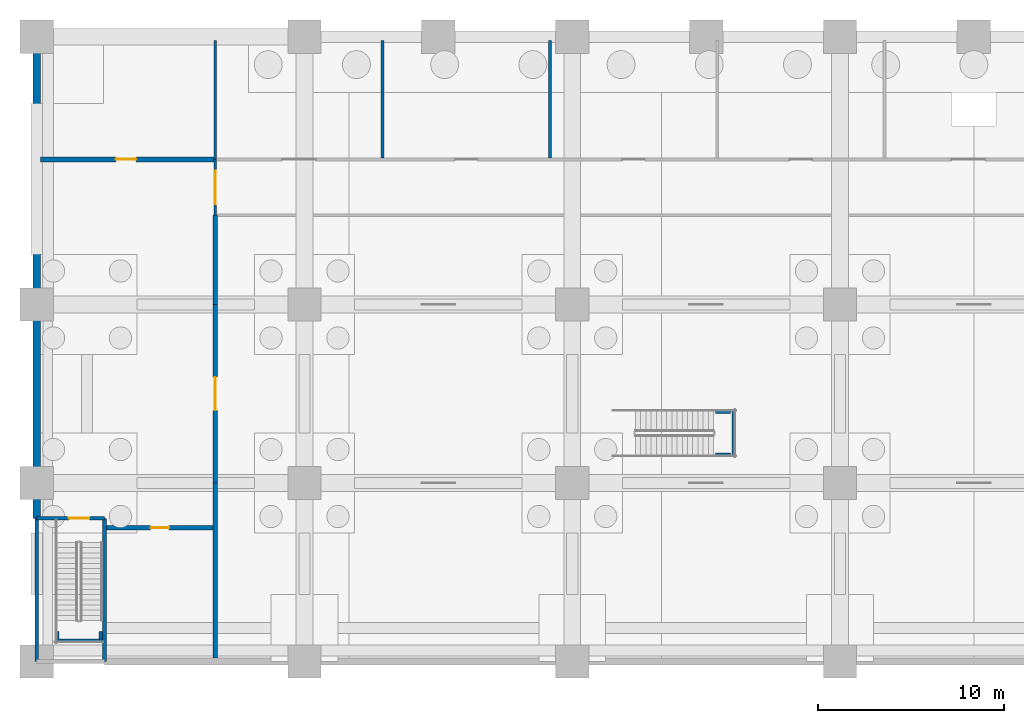
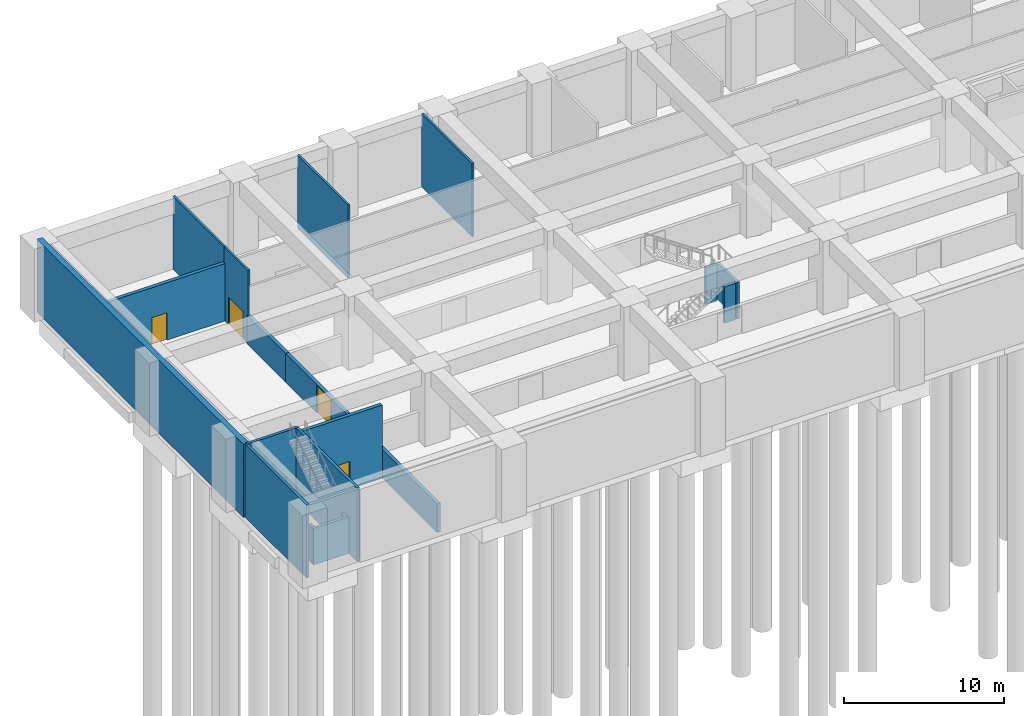
# One storey, part 3 of 13: 19 walls, 5 doors, 5 openings.
"""IFC4 building model written with IfcOpenShell, lengths in metres."""

import ifcopenshell
import ifcopenshell.guid

model = None  # the IFC model being written
_history = None  # IfcOwnerHistory: only IFC2X3 demands one
_inside = {}  # id of a spatial element -> (the spatial element, [elements in it])
_under = {}  # id of a project, library or spatial element -> (it, [spatial elements below it])
_declared = {}  # id of a project -> (the project, [libraries it declares])
_typed = {}  # id of a type object -> (the type object, [elements of that type])
_made_of = {}  # id of a material, layer set ... -> (it, [elements and type objects made of it])


def new_model(schema):
    """Start an empty IFC model of exactly this schema.

    Asked for "IFC4X3", IfcOpenShell would pick the latest addendum, in which some entities
    have other attributes; the version numbers below select the first issue.
    IFC2X3 requires an IfcOwnerHistory on every rooted entity: one is made here for all.
    """
    global model, _history
    if schema == "IFC4X3":
        model = ifcopenshell.file(schema_version=(4, 3, 0, 0))
    else:
        model = ifcopenshell.file(schema=schema)
    _inside.clear()
    _under.clear()
    _declared.clear()
    _typed.clear()
    _made_of.clear()
    _history = None
    if model.schema == "IFC2X3":
        org = make("IfcOrganization", Name="unknown")
        user = make(
            "IfcPersonAndOrganization",
            ThePerson=make("IfcPerson", FamilyName="unknown"),
            TheOrganization=org,
        )
        app = make(
            "IfcApplication",
            ApplicationDeveloper=org,
            Version="unknown",
            ApplicationFullName="unknown",
            ApplicationIdentifier="unknown",
        )
        _history = make(
            "IfcOwnerHistory",
            OwningUser=user,
            OwningApplication=app,
            ChangeAction="ADDED",
            CreationDate=0,
        )
    return model


def make(cls, **values):
    """One entity of the class cls with the attributes given. An attribute that is None is left unset."""
    return model.create_entity(
        cls, **{name: value for name, value in values.items() if value is not None}
    )


def rooted(cls, **values):
    """An entity with a GlobalId (a new one), such as an element, a storey or a relation."""
    return make(cls, GlobalId=ifcopenshell.guid.new(), OwnerHistory=_history, **values)


def si_unit(unit_type, name, prefix=None):
    """IfcSIUnit, for example si_unit("LENGTHUNIT", "METRE", prefix="MILLI")."""
    return make("IfcSIUnit", UnitType=unit_type, Prefix=prefix, Name=name)


def assignment(units):
    """IfcUnitAssignment: the units of a project."""
    return None if units is None else make("IfcUnitAssignment", Units=units)


def point(xyz):
    """IfcCartesianPoint."""
    return None if xyz is None else make("IfcCartesianPoint", Coordinates=xyz)


def direction(xyz):
    """IfcDirection."""
    return None if xyz is None else make("IfcDirection", DirectionRatios=xyz)


def frame(location, z_axis=None, x_axis=None):
    """IfcAxis2Placement3D, a coordinate frame: its origin and axes. An axis left out is left unset."""
    return make(
        "IfcAxis2Placement3D",
        Location=point(location),
        Axis=direction(z_axis),
        RefDirection=direction(x_axis),
    )


def frame_2d(location, x_axis=None):
    """IfcAxis2Placement2D, a coordinate frame in the plane: its origin and x axis."""
    return make(
        "IfcAxis2Placement2D", Location=point(location), RefDirection=direction(x_axis)
    )


def origin():
    """The frame at (0, 0, 0) with its axes left unset."""
    return frame((0.0, 0.0, 0.0))


def place(relative_to, where):
    """IfcLocalPlacement: puts the frame where relative to a parent placement (None: the world)."""
    return make(
        "IfcLocalPlacement", PlacementRelTo=relative_to, RelativePlacement=where
    )


def context(
    kind, dimensions, precision=None, world=None, true_north=None, identifier=None
):
    """IfcGeometricRepresentationContext, for example the 3D "Model" context."""
    return make(
        "IfcGeometricRepresentationContext",
        ContextIdentifier=identifier,
        ContextType=kind,
        CoordinateSpaceDimension=dimensions,
        Precision=precision,
        WorldCoordinateSystem=world,
        TrueNorth=true_north,
    )


def subcontext(parent, identifier, kind, view, scale=None):
    """IfcGeometricRepresentationSubContext, for example "Body" below "Model"."""
    return make(
        "IfcGeometricRepresentationSubContext",
        ContextIdentifier=identifier,
        ContextType=kind,
        ParentContext=parent,
        TargetScale=scale,
        TargetView=view,
    )


def project(units=None, contexts=None):
    """IfcProject with its units and contexts."""
    return rooted(
        "IfcProject",
        Name="project",
        RepresentationContexts=contexts,
        UnitsInContext=assignment(units),
    )


def spatial(cls, under=None, at=None, **own):
    """A site, building, storey or space (cls), placed at a placement, below another one or the project."""
    s = rooted(cls, ObjectPlacement=at, **own)
    if under is not None:
        _under.setdefault(under.id(), (under, []))[1].append(s)
    return s


def profile(cls, at=None, kind="AREA", **sizes):
    """A parametric profile (cls). Its sizes go by their IFC names, for example OverallWidth=200.0."""
    return make(cls, ProfileType=kind, Position=at, **sizes)


def rectangle(**sizes):
    """IfcRectangleProfileDef."""
    return profile("IfcRectangleProfileDef", **sizes)


def extrude(swept, where, along, depth):
    """IfcExtrudedAreaSolid: the profile swept, set in the frame where, extruded along a direction by depth."""
    return make(
        "IfcExtrudedAreaSolid",
        SweptArea=swept,
        Position=where,
        ExtrudedDirection=direction(along),
        Depth=depth,
    )


def shape(context_of_items, identifier, shape_type, items):
    """IfcShapeRepresentation: the items that make up one representation, for example the "Body"."""
    return make(
        "IfcShapeRepresentation",
        ContextOfItems=context_of_items,
        RepresentationIdentifier=identifier,
        RepresentationType=shape_type,
        Items=items,
    )


def material(Name=None, Category=None):
    """IfcMaterial."""
    return make("IfcMaterial", Name=Name, Category=Category)


def layer(
    of_material, thickness, ventilated=None, Name=None, Category=None, Priority=None
):
    """IfcMaterialLayer: one layer of a wall or slab, of a material (None: an air gap)."""
    return make(
        "IfcMaterialLayer",
        Material=of_material,
        LayerThickness=thickness,
        IsVentilated=ventilated,
        Name=Name,
        Category=Category,
        Priority=Priority,
    )


def layer_set(layers, Name=None):
    """IfcMaterialLayerSet."""
    return make("IfcMaterialLayerSet", MaterialLayers=layers, LayerSetName=Name)


def made_of(thing, what):
    """Note that an element or type object is made of a material, layer set ...; save() writes the relation."""
    if what is not None:
        _made_of.setdefault(what.id(), (what, []))[1].append(thing)
    return thing


def type_object(cls, material=None, **own):
    """A type object (cls), such as IfcWallType, which elements share."""
    return made_of(rooted(cls, **own), material)


def element(
    cls,
    number,
    at=None,
    inside=None,
    cuts=None,
    type_object=None,
    material=None,
    context=None,
    identifier="Body",
    shape_type=None,
    held_by="IfcProductDefinitionShape",
    body=None,
    shapes=None,
    **own,
):
    """One element of the class cls, such as IfcWall. Its Tag is "e" and its number.

    at: its placement. inside: the storey or other place that contains it. cuts: it is an
    opening in that element (IfcRelVoidsElement). A single representation is given by context,
    identifier, shape_type and body (its items); several are given by shapes. held_by: the class
    of the entity that holds the representations. save() writes the other relations.
    """
    e = rooted(cls, Tag="e%d" % number, ObjectPlacement=at, **own)
    if body is not None:
        shapes = [shape(context, identifier, shape_type, body)]
    if shapes is not None:
        e.Representation = make(held_by, Representations=shapes)
    if inside is not None:
        _inside.setdefault(inside.id(), (inside, []))[1].append(e)
    if cuts is not None:
        rooted(
            "IfcRelVoidsElement", RelatingBuildingElement=cuts, RelatedOpeningElement=e
        )
    if type_object is not None:
        _typed.setdefault(type_object.id(), (type_object, []))[1].append(e)
    return made_of(e, material)


def fill(opening, filler):
    """IfcRelFillsElement: the door or window that sits in an opening."""
    return rooted(
        "IfcRelFillsElement",
        RelatingOpeningElement=opening,
        RelatedBuildingElement=filler,
    )


def aggregate(whole, parts):
    """IfcRelAggregates: a whole, such as a stair, and the parts it consists of."""
    return rooted("IfcRelAggregates", RelatingObject=whole, RelatedObjects=parts)


def save(model, path):
    """Write the relations noted so far, then the file.

    IfcRelAggregates (storeys below a building ...), IfcRelContainedInSpatialStructure (elements
    in a storey), IfcRelDefinesByType, IfcRelAssociatesMaterial and IfcRelDeclares: one each for
    every whole, place, type object, material and project.
    """
    for whole, parts in _under.values():
        aggregate(whole, parts)
    for where, things in _inside.values():
        rooted(
            "IfcRelContainedInSpatialStructure",
            RelatedElements=things,
            RelatingStructure=where,
        )
    for kind, things in _typed.values():
        rooted("IfcRelDefinesByType", RelatedObjects=things, RelatingType=kind)
    for what, things in _made_of.values():
        rooted("IfcRelAssociatesMaterial", RelatedObjects=things, RelatingMaterial=what)
    for by, libraries in _declared.values():
        rooted("IfcRelDeclares", RelatingContext=by, RelatedDefinitions=libraries)
    model.write(path)


model = new_model("IFC4")

# Units and contexts
model_context = context("Model", 3, precision=1e-05, world=origin(), true_north=direction((0.0, 1.0)))
body_context = subcontext(model_context, "Body", "Model", "MODEL_VIEW")
ifc_project = project(units=[si_unit("LENGTHUNIT", "METRE"), si_unit("AREAUNIT", "SQUARE_METRE"), si_unit("VOLUMEUNIT", "CUBIC_METRE"), si_unit("PLANEANGLEUNIT", "RADIAN"), si_unit("MASSUNIT", "GRAM", prefix="KILO")], contexts=[model_context])

# Site, building, storey
site_placement = place(None, origin())
site = spatial("IfcSite", under=ifc_project, at=site_placement, CompositionType="ELEMENT")
building_placement = place(site_placement, origin())
building = spatial("IfcBuilding", under=site, at=building_placement, Name="Saffron Iwan Residences", CompositionType="ELEMENT")
storey_placement = place(building_placement, frame((0.0, 0.0, -11.39990234375)))
storey = spatial("IfcBuildingStorey", under=building, at=storey_placement, Name="B2", CompositionType="ELEMENT", Elevation=-11.39990234375)

# Wall
ifc_material_1 = material(Name="Concrete C40/50", Category="concrete")
ifc_layer_1 = layer(ifc_material_1, 0.39990234375)
ifc_layer_set_1 = layer_set([ifc_layer_1], Name="Concrete C40/50")
wall_type_1 = type_object("IfcWallType", Name="Basement wall 400", PredefinedType="SOLIDWALL", material=ifc_layer_set_1)
wall_1_placement = place(storey_placement, frame((0.0, 7.699951171875, 0.0), z_axis=(0.0, 0.0, 1.0), x_axis=(0.0, 1.0, 0.0)))
element("IfcWall", 1, at=wall_1_placement, inside=storey, type_object=wall_type_1, Name="W-B2-019", PredefinedType="SOLIDWALL", context=body_context, shape_type="SweptSolid", body=[
    extrude(rectangle(XDim=25.900146484375, YDim=0.39990234375, at=frame_2d((12.9501953125, 0.0))), origin(), (0.0, 0.0, 1.0), 5.599853515625),
])

# Wall, opening, door
ifc_material_2 = material(Name="Concrete blockwork", Category="masonry")
ifc_layer_2 = layer(ifc_material_2, 0.14990234375)
ifc_layer_set_2 = layer_set([ifc_layer_2], Name="Concrete blockwork")
wall_type_2 = type_object("IfcWallType", Name="Blockwork partition 150", PredefinedType="PARTITIONING", material=ifc_layer_set_2)
wall_2_placement = place(storey_placement, frame((9.60009765625, 24.0, 0.0), z_axis=(0.0, 0.0, 1.0), x_axis=(0.0, 1.0, 0.0)))
wall_2 = element("IfcWall", 2, at=wall_2_placement, inside=storey, type_object=wall_type_2, Name="W-B2-022", PredefinedType="PARTITIONING", context=body_context, shape_type="SweptSolid", body=[
    extrude(rectangle(XDim=3.0, YDim=0.14990234375, at=frame_2d((1.5, 0.0))), origin(), (0.0, 0.0, 1.0), 5.599853515625),
])
opening_1_placement = place(wall_2_placement, frame((0.60009765625, 0.0, 0.0)))
opening_1 = element("IfcOpeningElement", 3, at=opening_1_placement, cuts=wall_2, Name="Opening B2.12", PredefinedType="OPENING", context=body_context, shape_type="SweptSolid", body=[
    extrude(rectangle(XDim=1.800048828125, YDim=2.10009765625, at=frame_2d((0.89990234375, 1.050048828125))), frame((0.0, 0.0849609375, 0.0), z_axis=(0.0, -1.0, 0.0), x_axis=(1.0, 0.0, 0.0)), (0.0, 0.0, 1.0), 0.169921875),
])
ifc_material_3 = material(Name="Timber", Category="wood")
door_type_1 = type_object("IfcDoorType", Name="Door 1800x2100", OperationType="DOUBLE_DOOR_SINGLE_SWING", PredefinedType="DOOR", material=ifc_material_3)
door_1_placement = place(opening_1_placement, origin())
door_1 = element("IfcDoor", 4, at=door_1_placement, inside=storey, type_object=door_type_1, Name="D-B2-012", OperationType="DOUBLE_DOOR_SINGLE_SWING", OverallHeight=2.10009765625, OverallWidth=1.800048828125, PredefinedType="DOOR", context=body_context, shape_type="SweptSolid", body=[
    extrude(rectangle(XDim=1.800048828125, YDim=2.10009765625, at=frame_2d((0.89990234375, 1.050048828125))), frame((0.0, 0.02490234375, 0.0), z_axis=(0.0, -1.0, 0.0), x_axis=(1.0, 0.0, 0.0)), (0.0, 0.0, 1.0), 0.050048828125),
])
fill(opening_1, door_1)

# Walls
wall_3_placement = place(storey_placement, frame((9.60009765625, 27.0, 0.0), z_axis=(0.0, 0.0, 1.0), x_axis=(0.0, 1.0, 0.0)))
element("IfcWall", 5, at=wall_3_placement, inside=storey, type_object=wall_type_2, Name="W-B2-023", PredefinedType="PARTITIONING", context=body_context, shape_type="SweptSolid", body=[
    extrude(rectangle(XDim=6.39990234375, YDim=0.14990234375, at=frame_2d((3.199951171875, 0.0))), origin(), (0.0, 0.0, 1.0), 5.599853515625),
])
for number, where, z_axis, x_axis, name in (
    (6, (18.60009765625, 27.074951171875, 0.0), (0.0, 0.0, 1.0), (0.0, 1.0, 0.0), "W-B2-027"),
    (7, (27.60009765625, 27.074951171875, 0.0), (0.0, 0.0, 1.0), (0.0, 1.0, 0.0), "W-B2-028"),
):
    element("IfcWall", number, at=place(storey_placement, frame(where, z_axis=z_axis, x_axis=x_axis)), inside=storey, type_object=wall_type_2, Name=name, PredefinedType="PARTITIONING", context=body_context, shape_type="SweptSolid", body=[
        extrude(rectangle(XDim=6.324951171875, YDim=0.14990234375, at=frame_2d((3.16259765625, 0.0))), origin(), (0.0, 0.0, 1.0), 5.599853515625),
    ])

# Wall, opening, door
ifc_layer_3 = layer(ifc_material_1, 0.25)
ifc_layer_set_3 = layer_set([ifc_layer_3], Name="Concrete C40/50")
wall_type_3 = type_object("IfcWallType", Name="Fire compartment wall 250", PredefinedType="SOLIDWALL", material=ifc_layer_set_3)
wall_4_placement = place(storey_placement, frame((3.75, 7.199951171875, 0.0), z_axis=(0.0, 0.0, 1.0), x_axis=(1.0, 0.0, 0.0)))
wall_4 = element("IfcWall", 8, at=wall_4_placement, inside=storey, type_object=wall_type_3, Name="W-B2-004", PredefinedType="SOLIDWALL", context=body_context, shape_type="SweptSolid", body=[
    extrude(rectangle(XDim=5.72509765625, YDim=0.25, at=frame_2d((2.862548828125, 0.0))), origin(), (0.0, 0.0, 1.0), 5.599853515625),
])
opening_2_placement = place(wall_4_placement, frame((2.375, 0.0, 0.0)))
opening_2 = element("IfcOpeningElement", 9, at=opening_2_placement, cuts=wall_4, Name="Opening B2.16", PredefinedType="OPENING", context=body_context, shape_type="SweptSolid", body=[
    extrude(rectangle(XDim=1.0, YDim=2.10009765625, at=frame_2d((0.5, 1.050048828125))), frame((0.0, 0.135009765625, 0.0), z_axis=(0.0, -1.0, 0.0), x_axis=(1.0, 0.0, 0.0)), (0.0, 0.0, 1.0), 0.27001953125),
])
door_type_2 = type_object("IfcDoorType", Name="Door 1000x2100", OperationType="NOTDEFINED", PredefinedType="DOOR", material=ifc_material_3)
door_2_placement = place(opening_2_placement, origin())
door_2 = element("IfcDoor", 10, at=door_2_placement, inside=storey, type_object=door_type_2, Name="D-B2-016", OperationType="SINGLE_SWING_RIGHT", OverallHeight=2.10009765625, OverallWidth=1.0, PredefinedType="DOOR", context=body_context, shape_type="SweptSolid", body=[
    extrude(rectangle(XDim=1.0, YDim=2.10009765625, at=frame_2d((0.5, 1.050048828125))), frame((0.0, 0.02490234375, 0.0), z_axis=(0.0, -1.0, 0.0), x_axis=(1.0, 0.0, 0.0)), (0.0, 0.0, 1.0), 0.050048828125),
])
fill(opening_2, door_2)

wall_5_placement = place(storey_placement, frame((0.199951171875, 27.0, 0.0), z_axis=(0.0, 0.0, 1.0), x_axis=(1.0, 0.0, 0.0)))
wall_5 = element("IfcWall", 11, at=wall_5_placement, inside=storey, type_object=wall_type_3, Name="W-B2-016", PredefinedType="SOLIDWALL", context=body_context, shape_type="SweptSolid", body=[
    extrude(rectangle(XDim=9.400146484375, YDim=0.25, at=frame_2d((4.7001953125, 0.0))), origin(), (0.0, 0.0, 1.0), 4.39990234375),
])
opening_3_placement = place(wall_5_placement, frame((4.050048828125, 0.0, 0.0)))
opening_3 = element("IfcOpeningElement", 12, at=opening_3_placement, cuts=wall_5, Name="Opening B2.18", PredefinedType="OPENING", context=body_context, shape_type="SweptSolid", body=[
    extrude(rectangle(XDim=1.10009765625, YDim=2.10009765625, at=frame_2d((0.550048828125, 1.050048828125))), frame((0.0, 0.135009765625, 0.0), z_axis=(0.0, -1.0, 0.0), x_axis=(1.0, 0.0, 0.0)), (0.0, 0.0, 1.0), 0.27001953125),
])
door_type_3 = type_object("IfcDoorType", Name="Door 1100x2100", OperationType="NOTDEFINED", PredefinedType="DOOR", material=ifc_material_3)
door_3_placement = place(opening_3_placement, origin())
door_3 = element("IfcDoor", 13, at=door_3_placement, inside=storey, type_object=door_type_3, Name="D-B2-018", OperationType="SINGLE_SWING_LEFT", OverallHeight=2.10009765625, OverallWidth=1.10009765625, PredefinedType="DOOR", context=body_context, shape_type="SweptSolid", body=[
    extrude(rectangle(XDim=1.10009765625, YDim=2.10009765625, at=frame_2d((0.550048828125, 1.050048828125))), frame((0.0, 0.02490234375, 0.0), z_axis=(0.0, -1.0, 0.0), x_axis=(1.0, 0.0, 0.0)), (0.0, 0.0, 1.0), 0.050048828125),
])
fill(opening_3, door_3)

# Walls
wall_6_placement = place(storey_placement, frame((9.60009765625, 0.199951171875, 0.0), z_axis=(0.0, 0.0, 1.0), x_axis=(0.0, 1.0, 0.0)))
element("IfcWall", 14, at=wall_6_placement, inside=storey, type_object=wall_type_3, Name="W-B2-024", PredefinedType="SOLIDWALL", context=body_context, shape_type="SweptSolid", body=[
    extrude(rectangle(XDim=9.400146484375, YDim=0.25, at=frame_2d((4.7001953125, 0.0))), origin(), (0.0, 0.0, 1.0), 2.199951171875),
])
wall_7_placement = place(storey_placement, frame((9.60009765625, 19.199951171875, 0.0), z_axis=(0.0, 0.0, 1.0), x_axis=(0.0, 1.0, 0.0)))
element("IfcWall", 15, at=wall_7_placement, inside=storey, type_object=wall_type_3, Name="W-B2-025", PredefinedType="SOLIDWALL", context=body_context, shape_type="SweptSolid", body=[
    extrude(rectangle(XDim=4.800048828125, YDim=0.25, at=frame_2d((2.39990234375, 0.0))), origin(), (0.0, 0.0, 1.0), 2.199951171875),
])

# Wall, opening, door
wall_8_placement = place(storey_placement, frame((9.60009765625, 9.60009765625, 0.0), z_axis=(0.0, 0.0, 1.0), x_axis=(0.0, 1.0, 0.0)))
wall_8 = element("IfcWall", 16, at=wall_8_placement, inside=storey, type_object=wall_type_3, Name="W-B2-026", PredefinedType="SOLIDWALL", context=body_context, shape_type="SweptSolid", body=[
    extrude(rectangle(XDim=9.599853515625, YDim=0.25, at=frame_2d((4.7998046875, 0.0))), origin(), (0.0, 0.0, 1.0), 2.199951171875),
])
opening_4_placement = place(wall_8_placement, frame((3.89990234375, 0.0, 0.0)))
opening_4 = element("IfcOpeningElement", 17, at=opening_4_placement, cuts=wall_8, Name="Opening B2.14", PredefinedType="OPENING", context=body_context, shape_type="SweptSolid", body=[
    extrude(rectangle(XDim=1.800048828125, YDim=2.10009765625, at=frame_2d((0.89990234375, 1.050048828125))), frame((0.0, 0.135009765625, 0.0), z_axis=(0.0, -1.0, 0.0), x_axis=(1.0, 0.0, 0.0)), (0.0, 0.0, 1.0), 0.27001953125),
])
ifc_material_4 = material(Name="Steel", Category="steel")
door_type_4 = type_object("IfcDoorType", Name="Fire door 1800x2100", OperationType="DOUBLE_DOOR_SINGLE_SWING", PredefinedType="DOOR", material=ifc_material_4)
door_4_placement = place(opening_4_placement, origin())
door_4 = element("IfcDoor", 18, at=door_4_placement, inside=storey, type_object=door_type_4, Name="D-B2-014", OperationType="DOUBLE_DOOR_SINGLE_SWING", OverallHeight=2.10009765625, OverallWidth=1.800048828125, PredefinedType="DOOR", context=body_context, shape_type="SweptSolid", body=[
    extrude(rectangle(XDim=1.800048828125, YDim=2.10009765625, at=frame_2d((0.89990234375, 1.050048828125))), frame((0.0, 0.02490234375, 0.0), z_axis=(0.0, -1.0, 0.0), x_axis=(1.0, 0.0, 0.0)), (0.0, 0.0, 1.0), 0.050048828125),
])
fill(opening_4, door_4)

# Walls
ifc_layer_4 = layer(ifc_material_1, 0.199951171875)
ifc_layer_set_4 = layer_set([ifc_layer_4], Name="Concrete C40/50")
wall_type_4 = type_object("IfcWallType", Name="Landing support wall, reinforced concrete 200", PredefinedType="SOLIDWALL", material=ifc_layer_set_4)
for number, where, z_axis, x_axis, name in (
    (19, (1.10009765625, 1.199951171875, 0.0), (0.0, 0.0, 1.0), (0.0, 1.0, 0.0), "SE1 landing support wall"),
    (20, (3.449951171875, 1.199951171875, 0.0), (0.0, 0.0, 1.0), (0.0, 1.0, 0.0), "SE1 landing support wall"),
):
    element("IfcWall", number, at=place(storey_placement, frame(where, z_axis=z_axis, x_axis=x_axis)), inside=storey, type_object=wall_type_4, Name=name, PredefinedType="SOLIDWALL", context=body_context, shape_type="SweptSolid", body=[
        extrude(rectangle(XDim=0.400146484375, YDim=0.199951171875, at=frame_2d((0.2001953125, 0.0))), origin(), (0.0, 0.0, 1.0), 2.7998046875),
    ])
wall_9_placement = place(storey_placement, frame((1.0, 1.10009765625, 0.0), z_axis=(0.0, 0.0, 1.0), x_axis=(1.0, 0.0, 0.0)))
element("IfcWall", 21, at=wall_9_placement, inside=storey, type_object=wall_type_4, Name="SE1 landing support wall", PredefinedType="SOLIDWALL", context=body_context, shape_type="SweptSolid", body=[
    extrude(rectangle(XDim=2.550048828125, YDim=0.199951171875, at=frame_2d((1.27490234375, 0.0))), origin(), (0.0, 0.0, 1.0), 2.7998046875),
])
for number, where, z_axis, x_axis, name in (
    (22, (36.5, 11.10009765625, 0.0), (0.0, 0.0, 1.0), (1.0, 0.0, 0.0), "SP2 landing support wall"),
    (23, (36.5, 13.449951171875, 0.0), (0.0, 0.0, 1.0), (1.0, 0.0, 0.0), "SP2 landing support wall"),
):
    element("IfcWall", number, at=place(storey_placement, frame(where, z_axis=z_axis, x_axis=x_axis)), inside=storey, type_object=wall_type_4, Name=name, PredefinedType="SOLIDWALL", context=body_context, shape_type="SweptSolid", body=[
        extrude(rectangle(XDim=0.800048828125, YDim=0.199951171875, at=frame_2d((0.39990234375, 0.0))), origin(), (0.0, 0.0, 1.0), 2.7998046875),
    ])
wall_10_placement = place(storey_placement, frame((37.5, 11.0, 0.0), z_axis=(0.0, 0.0, 1.0), x_axis=(0.0, 1.0, 0.0)))
element("IfcWall", 24, at=wall_10_placement, inside=storey, type_object=wall_type_4, Name="SP2 landing support wall", PredefinedType="SOLIDWALL", context=body_context, shape_type="SweptSolid", body=[
    extrude(rectangle(XDim=2.550048828125, YDim=0.199951171875, at=frame_2d((1.27490234375, 0.0))), origin(), (0.0, 0.0, 1.0), 2.7998046875),
])

# Wall, opening, door
ifc_layer_5 = layer(ifc_material_1, 0.199951171875)
ifc_layer_set_5 = layer_set([ifc_layer_5], Name="Concrete C40/50")
wall_type_5 = type_object("IfcWallType", Name="Reinforced concrete stair wall 200", PredefinedType="SOLIDWALL", material=ifc_layer_set_5)
wall_11_placement = place(storey_placement, frame((0.0, 7.699951171875, 0.0), z_axis=(0.0, 0.0, 1.0), x_axis=(1.0, 0.0, 0.0)))
wall_11 = element("IfcWall", 25, at=wall_11_placement, inside=storey, type_object=wall_type_5, Name="W-B2-006", PredefinedType="SOLIDWALL", context=body_context, shape_type="SweptSolid", body=[
    extrude(rectangle(XDim=3.64990234375, YDim=0.199951171875, at=frame_2d((1.824951171875, 0.0))), origin(), (0.0, 0.0, 1.0), 5.599853515625),
])
opening_5_placement = place(wall_11_placement, frame((1.72509765625, 0.0, 0.0)))
opening_5 = element("IfcOpeningElement", 26, at=opening_5_placement, cuts=wall_11, Name="Opening B2.30", PredefinedType="OPENING", context=body_context, shape_type="SweptSolid", body=[
    extrude(rectangle(XDim=1.10009765625, YDim=2.10009765625, at=frame_2d((0.550048828125, 1.050048828125))), frame((0.0, 0.10986328125, 0.0), z_axis=(0.0, -1.0, 0.0), x_axis=(1.0, 0.0, 0.0)), (0.0, 0.0, 1.0), 0.219970703125),
])
door_type_5 = type_object("IfcDoorType", Name="Fire door 1100x2100", OperationType="NOTDEFINED", PredefinedType="DOOR", material=ifc_material_4)
door_5_placement = place(opening_5_placement, origin())
door_5 = element("IfcDoor", 27, at=door_5_placement, inside=storey, type_object=door_type_5, Name="D-B2-030", OperationType="SINGLE_SWING_RIGHT", OverallHeight=2.10009765625, OverallWidth=1.10009765625, PredefinedType="DOOR", context=body_context, shape_type="SweptSolid", body=[
    extrude(rectangle(XDim=1.10009765625, YDim=2.10009765625, at=frame_2d((0.550048828125, 1.050048828125))), frame((0.0, 0.02490234375, 0.0), z_axis=(0.0, -1.0, 0.0), x_axis=(1.0, 0.0, 0.0)), (0.0, 0.0, 1.0), 0.050048828125),
])
fill(opening_5, door_5)

# Walls
for number, where, z_axis, x_axis, name in (
    (28, (0.0, 0.0, 0.0), (0.0, 0.0, 1.0), (0.0, 1.0, 0.0), "W-B2-020"),
    (29, (3.64990234375, 0.0, 0.0), (0.0, 0.0, 1.0), (0.0, 1.0, 0.0), "W-B2-021"),
):
    element("IfcWall", number, at=place(storey_placement, frame(where, z_axis=z_axis, x_axis=x_axis)), inside=storey, type_object=wall_type_5, Name=name, PredefinedType="SOLIDWALL", context=body_context, shape_type="SweptSolid", body=[
        extrude(rectangle(XDim=7.699951171875, YDim=0.199951171875, at=frame_2d((3.85009765625, 0.0))), origin(), (0.0, 0.0, 1.0), 5.599853515625),
    ])

save(model, "model.ifc")
